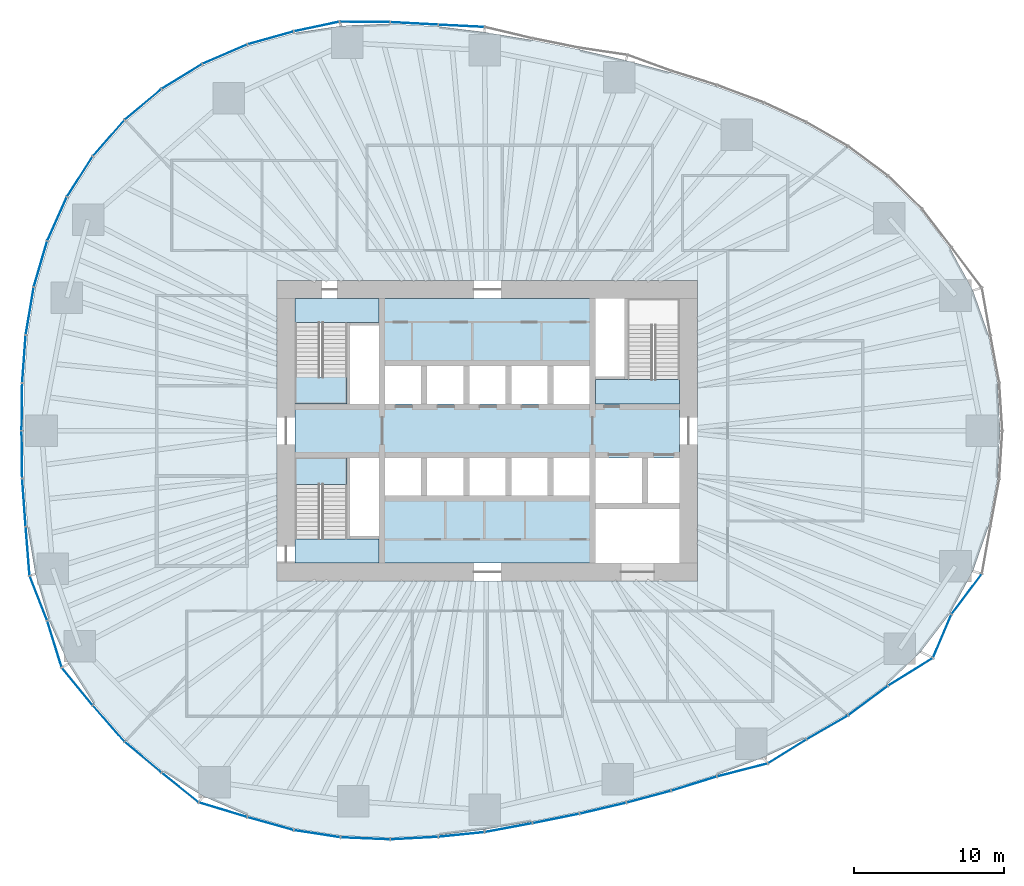
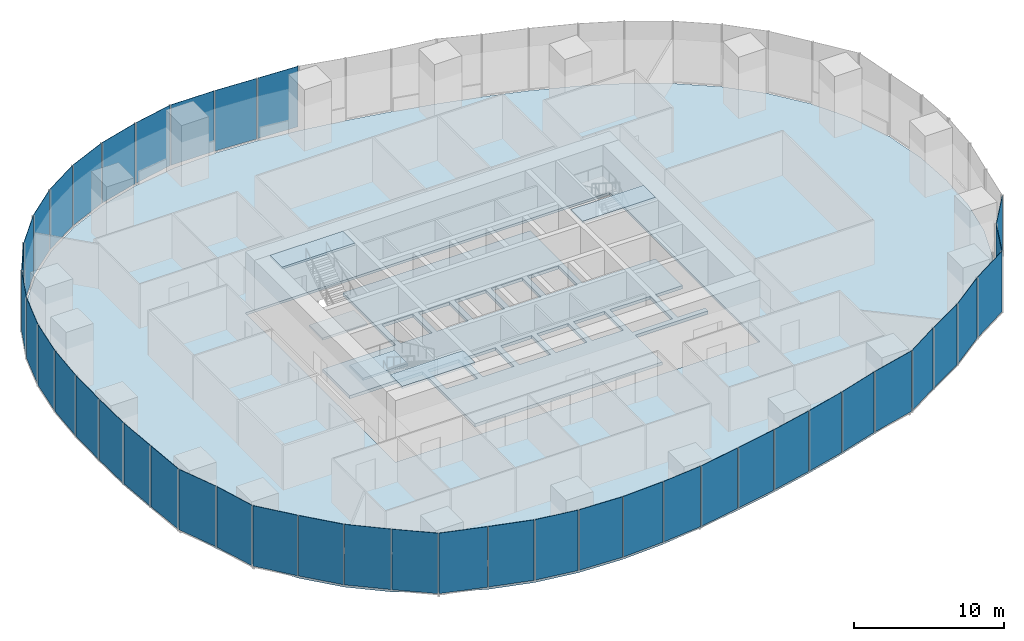
# One storey, part 8 of 20: 42 plates, 7 slabs, 17 elements without a shape of their own.
"""IFC4 building model written with IfcOpenShell, lengths in metres."""

from ifc_helpers import new_model, si_unit, direction, frame, origin, origin_2d, place, context, subcontext, project, spatial, polyline, rectangle, outline, extrude, material, layer, layer_set, type_object, element, aggregate, save


model = new_model("IFC4")

# Units and contexts
model_context = context("Model", 3, precision=1e-05, world=origin(), true_north=direction((0.0, 1.0)))
body_context = subcontext(model_context, "Body", "Model", "MODEL_VIEW")
ifc_project = project(units=[si_unit("LENGTHUNIT", "METRE"), si_unit("AREAUNIT", "SQUARE_METRE"), si_unit("VOLUMEUNIT", "CUBIC_METRE"), si_unit("PLANEANGLEUNIT", "RADIAN"), si_unit("MASSUNIT", "GRAM", prefix="KILO")], contexts=[model_context])

# Site, building, storey
site_placement = place(None, origin())
site = spatial("IfcSite", under=ifc_project, at=site_placement, CompositionType="ELEMENT")
building_placement = place(site_placement, origin())
building = spatial("IfcBuilding", under=site, at=building_placement, Name="Ghaith Harvest Tower", CompositionType="ELEMENT")
storey_placement = place(building_placement, frame((0.0, 0.0, 50.0)))
storey = spatial("IfcBuildingStorey", under=building, at=storey_placement, Name="L10", CompositionType="ELEMENT", Elevation=50.0)

# Curtain wall, plates
ifc_material_1 = material(Name="Black anodised aluminium and fritted glass", Category="aluminium")
curtain_wall_type = type_object("IfcCurtainWallType", Name="CW-F CURTAIN WALL", PredefinedType="NOTDEFINED", material=ifc_material_1)
curtain_wall_1_placement = place(storey_placement, origin())
curtain_wall_1 = element("IfcCurtainWall", 1, at=curtain_wall_1_placement, inside=storey, type_object=curtain_wall_type, Name="Curtain wall CW-F bay 06 L10", PredefinedType="NOTDEFINED")
ifc_material_2 = material(Name="Glass, high-transmission fritted double glazed unit", Category="glass")
ifc_layer_1 = layer(ifc_material_2, 0.028076171875)
ifc_layer_set_1 = layer_set([ifc_layer_1], Name="CW-F VISION PANEL")
plate_type = type_object("IfcPlateType", Name="CW-F VISION PANEL", PredefinedType="CURTAIN_PANEL", material=ifc_layer_set_1)
plate_1_placement = place(storey_placement, frame((-1.722900390625, 26.953369140625, 0.080078125), z_axis=(0.0, 0.0, 1.0), x_axis=(-0.998771443485, 0.049554048048, 0.0)))
plate_1 = element("IfcPlate", 2, at=plate_1_placement, type_object=plate_type, Name="CW-F panel 1 bay 06 L10", PredefinedType="CURTAIN_PANEL", context=body_context, shape_type="SweptSolid", body=[
    extrude(rectangle(XDim=3.001708984375, YDim=0.028076171875, at=origin_2d()), origin(), (0.0, 0.0, 1.0), 4.919921875),
])
plate_2_placement = place(storey_placement, frame((-4.863525390625, 27.11572265625, 0.080078125), z_axis=(0.0, 0.0, 1.0), x_axis=(-0.99856250263, 0.053599704667, 0.0)))
plate_2 = element("IfcPlate", 3, at=plate_2_placement, type_object=plate_type, Name="CW-F panel 2 bay 06 L10", PredefinedType="CURTAIN_PANEL", context=body_context, shape_type="SweptSolid", body=[
    extrude(rectangle(XDim=3.1279296875, YDim=0.028076171875, at=origin_2d()), origin(), (0.0, 0.0, 1.0), 4.919921875),
])
plate_3_placement = place(storey_placement, frame((-8.150390625, 27.217041015625, 0.080078125), z_axis=(0.0, 0.0, 1.0), x_axis=(-0.999959609481, 0.008987736446, 0.0)))
plate_3 = element("IfcPlate", 4, at=plate_3_placement, type_object=plate_type, Name="CW-F panel 3 bay 06 L10", PredefinedType="CURTAIN_PANEL", context=body_context, shape_type="SweptSolid", body=[
    extrude(rectangle(XDim=3.29052734375, YDim=0.028076171875, at=origin_2d()), origin(), (0.0, 0.0, 1.0), 4.919921875),
])
aggregate(curtain_wall_1, [plate_1, plate_2, plate_3])

curtain_wall_2_placement = place(storey_placement, origin())
curtain_wall_2 = element("IfcCurtainWall", 5, at=curtain_wall_2_placement, inside=storey, type_object=curtain_wall_type, Name="Curtain wall CW-F bay 07 L10", PredefinedType="NOTDEFINED")
plate_4_placement = place(storey_placement, frame((-11.358154296875, 26.908447265625, 0.080078125), z_axis=(0.0, 0.0, 1.0), x_axis=(-0.978149320779, -0.207903598476, 0.0)))
plate_4 = element("IfcPlate", 6, at=plate_4_placement, type_object=plate_type, Name="CW-F panel 1 bay 07 L10", PredefinedType="CURTAIN_PANEL", context=body_context, shape_type="SweptSolid", body=[
    extrude(rectangle(XDim=3.032958984375, YDim=0.028076171875, at=origin_2d()), origin(), (0.0, 0.0, 1.0), 4.919921875),
])
plate_5_placement = place(storey_placement, frame((-14.42578125, 26.150634765625, 0.080078125), z_axis=(0.0, 0.0, 1.0), x_axis=(-0.96272968243, -0.270465448012, 0.0)))
plate_5 = element("IfcPlate", 7, at=plate_5_placement, type_object=plate_type, Name="CW-F panel 2 bay 07 L10", PredefinedType="CURTAIN_PANEL", context=body_context, shape_type="SweptSolid", body=[
    extrude(rectangle(XDim=3.13037109375, YDim=0.028076171875, at=origin_2d()), origin(), (0.0, 0.0, 1.0), 4.919921875),
])
plate_6_placement = place(storey_placement, frame((-17.46923828125, 25.0693359375, 0.080078125), z_axis=(0.0, 0.0, 1.0), x_axis=(-0.918002845228, -0.396573796605, 0.0)))
plate_6 = element("IfcPlate", 8, at=plate_6_placement, type_object=plate_type, Name="CW-F panel 3 bay 07 L10", PredefinedType="CURTAIN_PANEL", context=body_context, shape_type="SweptSolid", body=[
    extrude(rectangle(XDim=3.18359375, YDim=0.028076171875, at=origin_2d()), origin(), (0.0, 0.0, 1.0), 4.919921875),
])
aggregate(curtain_wall_2, [plate_4, plate_5, plate_6])

curtain_wall_3_placement = place(storey_placement, origin())
curtain_wall_3 = element("IfcCurtainWall", 9, at=curtain_wall_3_placement, inside=storey, type_object=curtain_wall_type, Name="Curtain wall CW-F bay 08 L10", PredefinedType="NOTDEFINED")
plate_7_placement = place(storey_placement, frame((-20.324462890625, 23.590087890625, 0.080078125), z_axis=(0.0, 0.0, 1.0), x_axis=(-0.852527741552, -0.522681977769, 0.0)))
plate_7 = element("IfcPlate", 10, at=plate_7_placement, type_object=plate_type, Name="CW-F panel 1 bay 08 L10", PredefinedType="CURTAIN_PANEL", context=body_context, shape_type="SweptSolid", body=[
    extrude(rectangle(XDim=3.10400390625, YDim=0.028076171875, at=origin_2d()), origin(), (0.0, 0.0, 1.0), 4.919921875),
])
plate_8_placement = place(storey_placement, frame((-22.91064453125, 21.727294921875, 0.080078125), z_axis=(0.0, 0.0, 1.0), x_axis=(-0.766155215147, -0.642655573619, 0.0)))
plate_8 = element("IfcPlate", 11, at=plate_8_placement, type_object=plate_type, Name="CW-F panel 2 bay 08 L10", PredefinedType="CURTAIN_PANEL", context=body_context, shape_type="SweptSolid", body=[
    extrude(rectangle(XDim=3.1279296875, YDim=0.028076171875, at=origin_2d()), origin(), (0.0, 0.0, 1.0), 4.919921875),
])
plate_9_placement = place(storey_placement, frame((-25.201171875, 19.4853515625, 0.080078125), z_axis=(0.0, 0.0, 1.0), x_axis=(-0.659215937547, -0.751953687194, 0.0)))
plate_9 = element("IfcPlate", 12, at=plate_9_placement, type_object=plate_type, Name="CW-F panel 3 bay 08 L10", PredefinedType="CURTAIN_PANEL", context=body_context, shape_type="SweptSolid", body=[
    extrude(rectangle(XDim=3.1416015625, YDim=0.028076171875, at=origin_2d()), origin(), (0.0, 0.0, 1.0), 4.919921875),
])
aggregate(curtain_wall_3, [plate_7, plate_8, plate_9])

curtain_wall_4_placement = place(storey_placement, origin())
curtain_wall_4 = element("IfcCurtainWall", 13, at=curtain_wall_4_placement, inside=storey, type_object=curtain_wall_type, Name="Curtain wall CW-F bay 09 L10", PredefinedType="NOTDEFINED")
plate_10_placement = place(storey_placement, frame((-27.124755859375, 16.919677734375, 0.080078125), z_axis=(0.0, 0.0, 1.0), x_axis=(-0.536779195227, -0.843722759899, 0.0)))
plate_10 = element("IfcPlate", 14, at=plate_10_placement, type_object=plate_type, Name="CW-F panel 1 bay 09 L10", PredefinedType="CURTAIN_PANEL", context=body_context, shape_type="SweptSolid", body=[
    extrude(rectangle(XDim=3.13037109375, YDim=0.028076171875, at=origin_2d()), origin(), (0.0, 0.0, 1.0), 4.919921875),
])
plate_11_placement = place(storey_placement, frame((-28.639404296875, 14.100341796875, 0.080078125), z_axis=(0.0, 0.0, 1.0), x_axis=(-0.407134417018, -0.913368253488, 0.0)))
plate_11 = element("IfcPlate", 15, at=plate_11_placement, type_object=plate_type, Name="CW-F panel 2 bay 09 L10", PredefinedType="CURTAIN_PANEL", context=body_context, shape_type="SweptSolid", body=[
    extrude(rectangle(XDim=3.1279296875, YDim=0.028076171875, at=origin_2d()), origin(), (0.0, 0.0, 1.0), 4.919921875),
])
plate_12_placement = place(storey_placement, frame((-29.740478515625, 11.101318359375, 0.080078125), z_axis=(0.0, 0.0, 1.0), x_axis=(-0.280296918708, -0.959913348882, 0.0)))
plate_12 = element("IfcPlate", 16, at=plate_12_placement, type_object=plate_type, Name="CW-F panel 3 bay 09 L10", PredefinedType="CURTAIN_PANEL", context=body_context, shape_type="SweptSolid", body=[
    extrude(rectangle(XDim=3.1162109375, YDim=0.028076171875, at=origin_2d()), origin(), (0.0, 0.0, 1.0), 4.919921875),
])
aggregate(curtain_wall_4, [plate_10, plate_11, plate_12])

curtain_wall_5_placement = place(storey_placement, origin())
curtain_wall_5 = element("IfcCurtainWall", 17, at=curtain_wall_5_placement, inside=storey, type_object=curtain_wall_type, Name="Curtain wall CW-F bay 10 L10", PredefinedType="NOTDEFINED")
plate_13_placement = place(storey_placement, frame((-30.456298828125, 7.971435546875, 0.080078125), z_axis=(0.0, 0.0, 1.0), x_axis=(-0.165581316368, -0.986196140567, 0.0)))
plate_13 = element("IfcPlate", 18, at=plate_13_placement, type_object=plate_type, Name="CW-F panel 1 bay 10 L10", PredefinedType="CURTAIN_PANEL", context=body_context, shape_type="SweptSolid", body=[
    extrude(rectangle(XDim=3.156494140625, YDim=0.028076171875, at=origin_2d()), origin(), (0.0, 0.0, 1.0), 4.919921875),
])
plate_14_placement = place(storey_placement, frame((-30.84033203125, 4.77685546875, 0.080078125), z_axis=(0.0, 0.0, 1.0), x_axis=(-0.072420546123, -0.997374184797, 0.0)))
plate_14 = element("IfcPlate", 19, at=plate_14_placement, type_object=plate_type, Name="CW-F panel 2 bay 10 L10", PredefinedType="CURTAIN_PANEL", context=body_context, shape_type="SweptSolid", body=[
    extrude(rectangle(XDim=3.1259765625, YDim=0.028076171875, at=origin_2d()), origin(), (0.0, 0.0, 1.0), 4.919921875),
])
plate_15_placement = place(storey_placement, frame((-30.975830078125, 1.589111328125, 0.080078125), z_axis=(0.0, 0.0, 1.0), x_axis=(-0.012133206476, -0.999926389941, 0.0)))
plate_15 = element("IfcPlate", 20, at=plate_15_placement, type_object=plate_type, Name="CW-F panel 3 bay 10 L10", PredefinedType="CURTAIN_PANEL", context=body_context, shape_type="SweptSolid", body=[
    extrude(rectangle(XDim=3.09814453125, YDim=0.028076171875, at=origin_2d()), origin(), (0.0, 0.0, 1.0), 4.919921875),
])
aggregate(curtain_wall_5, [plate_13, plate_14, plate_15])

curtain_wall_6_placement = place(storey_placement, origin())
curtain_wall_6 = element("IfcCurtainWall", 21, at=curtain_wall_6_placement, inside=storey, type_object=curtain_wall_type, Name="Curtain wall CW-F bay 11 L10", PredefinedType="NOTDEFINED")
plate_16_placement = place(storey_placement, frame((-30.975830078125, -1.589111328125, 0.080078125), z_axis=(0.0, 0.0, 1.0), x_axis=(0.012133206773, -0.999926389937, 0.0)))
plate_16 = element("IfcPlate", 22, at=plate_16_placement, type_object=plate_type, Name="CW-F panel 1 bay 11 L10", PredefinedType="CURTAIN_PANEL", context=body_context, shape_type="SweptSolid", body=[
    extrude(rectangle(XDim=3.09814453125, YDim=0.028076171875, at=origin_2d()), origin(), (0.0, 0.0, 1.0), 4.919921875),
])
plate_17_placement = place(storey_placement, frame((-30.84033203125, -4.77685546875, 0.080078125), z_axis=(0.0, 0.0, 1.0), x_axis=(0.072420546349, -0.99737418478, 0.0)))
plate_17 = element("IfcPlate", 23, at=plate_17_placement, type_object=plate_type, Name="CW-F panel 2 bay 11 L10", PredefinedType="CURTAIN_PANEL", context=body_context, shape_type="SweptSolid", body=[
    extrude(rectangle(XDim=3.1259765625, YDim=0.028076171875, at=origin_2d()), origin(), (0.0, 0.0, 1.0), 4.919921875),
])
plate_18_placement = place(storey_placement, frame((-30.594482421875, -8.01513671875, 0.080078125), z_axis=(0.0, 0.0, 1.0), x_axis=(0.078867084181, -0.996885140341, 0.0)))
plate_18 = element("IfcPlate", 24, at=plate_18_placement, type_object=plate_type, Name="CW-F panel 3 bay 11 L10", PredefinedType="CURTAIN_PANEL", context=body_context, shape_type="SweptSolid", body=[
    extrude(rectangle(XDim=3.209716796875, YDim=0.028076171875, at=origin_2d()), origin(), (0.0, 0.0, 1.0), 4.919921875),
])
aggregate(curtain_wall_6, [plate_16, plate_17, plate_18])

curtain_wall_7_placement = place(storey_placement, origin())
curtain_wall_7 = element("IfcCurtainWall", 25, at=curtain_wall_7_placement, inside=storey, type_object=curtain_wall_type, Name="Curtain wall CW-F bay 12 L10", PredefinedType="NOTDEFINED")
plate_19_placement = place(storey_placement, frame((-29.878662109375, -11.14501953125, 0.080078125), z_axis=(0.0, 0.0, 1.0), x_axis=(0.366039738151, -0.930599220983, 0.0)))
plate_19 = element("IfcPlate", 26, at=plate_19_placement, type_object=plate_type, Name="CW-F panel 1 bay 12 L10", PredefinedType="CURTAIN_PANEL", context=body_context, shape_type="SweptSolid", body=[
    extrude(rectangle(XDim=3.122802734375, YDim=0.028076171875, at=origin_2d()), origin(), (0.0, 0.0, 1.0), 4.919921875),
])
plate_20_placement = place(storey_placement, frame((-28.809814453125, -14.195068359375, 0.080078125), z_axis=(0.0, 0.0, 1.0), x_axis=(0.295583054454, -0.95531704576, 0.0)))
plate_20 = element("IfcPlate", 27, at=plate_20_placement, type_object=plate_type, Name="CW-F panel 2 bay 12 L10", PredefinedType="CURTAIN_PANEL", context=body_context, shape_type="SweptSolid", body=[
    extrude(rectangle(XDim=3.185546875, YDim=0.028076171875, at=origin_2d()), origin(), (0.0, 0.0, 1.0), 4.919921875),
])
plate_21_placement = place(storey_placement, frame((-27.295166015625, -17.014404296875, 0.080078125), z_axis=(0.0, 0.0, 1.0), x_axis=(0.633789860881, -0.773505276158, 0.0)))
plate_21 = element("IfcPlate", 28, at=plate_21_placement, type_object=plate_type, Name="CW-F panel 3 bay 12 L10", PredefinedType="CURTAIN_PANEL", context=body_context, shape_type="SweptSolid", body=[
    extrude(rectangle(XDim=3.1767578125, YDim=0.028076171875, at=origin_2d()), origin(), (0.0, 0.0, 1.0), 4.919921875),
])
aggregate(curtain_wall_7, [plate_19, plate_20, plate_21])

curtain_wall_8_placement = place(storey_placement, origin())
curtain_wall_8 = element("IfcCurtainWall", 29, at=curtain_wall_8_placement, inside=storey, type_object=curtain_wall_type, Name="Curtain wall CW-F bay 13 L10", PredefinedType="NOTDEFINED")
plate_22_placement = place(storey_placement, frame((-25.201171875, -19.4853515625, 0.080078125), z_axis=(0.0, 0.0, 1.0), x_axis=(0.659215937337, -0.751953687378, 0.0)))
plate_22 = element("IfcPlate", 30, at=plate_22_placement, type_object=plate_type, Name="CW-F panel 1 bay 13 L10", PredefinedType="CURTAIN_PANEL", context=body_context, shape_type="SweptSolid", body=[
    extrude(rectangle(XDim=3.1416015625, YDim=0.028076171875, at=origin_2d()), origin(), (0.0, 0.0, 1.0), 4.919921875),
])
plate_23_placement = place(storey_placement, frame((-22.91064453125, -21.727294921875, 0.080078125), z_axis=(0.0, 0.0, 1.0), x_axis=(0.76615521545, -0.642655573258, 0.0)))
plate_23 = element("IfcPlate", 31, at=plate_23_placement, type_object=plate_type, Name="CW-F panel 2 bay 13 L10", PredefinedType="CURTAIN_PANEL", context=body_context, shape_type="SweptSolid", body=[
    extrude(rectangle(XDim=3.1279296875, YDim=0.028076171875, at=origin_2d()), origin(), (0.0, 0.0, 1.0), 4.919921875),
])
plate_24_placement = place(storey_placement, frame((-20.447265625, -23.748046875, 0.080078125), z_axis=(0.0, 0.0, 1.0), x_axis=(0.780122054158, -0.625627349639, 0.0)))
plate_24 = element("IfcPlate", 32, at=plate_24_placement, type_object=plate_type, Name="CW-F panel 3 bay 13 L10", PredefinedType="CURTAIN_PANEL", context=body_context, shape_type="SweptSolid", body=[
    extrude(rectangle(XDim=3.085205078125, YDim=0.028076171875, at=origin_2d()), origin(), (0.0, 0.0, 1.0), 4.919921875),
])
aggregate(curtain_wall_8, [plate_22, plate_23, plate_24])

curtain_wall_9_placement = place(storey_placement, origin())
curtain_wall_9 = element("IfcCurtainWall", 33, at=curtain_wall_9_placement, inside=storey, type_object=curtain_wall_type, Name="Curtain wall CW-F bay 14 L10", PredefinedType="NOTDEFINED")
plate_25_placement = place(storey_placement, frame((-17.591796875, -25.227294921875, 0.080078125), z_axis=(0.0, 0.0, 1.0), x_axis=(0.95734234218, -0.288956121011, 0.0)))
plate_25 = element("IfcPlate", 34, at=plate_25_placement, type_object=plate_type, Name="CW-F panel 1 bay 14 L10", PredefinedType="CURTAIN_PANEL", context=body_context, shape_type="SweptSolid", body=[
    extrude(rectangle(XDim=3.3056640625, YDim=0.028076171875, at=origin_2d()), origin(), (0.0, 0.0, 1.0), 4.919921875),
])
plate_26_placement = place(storey_placement, frame((-14.42578125, -26.150634765625, 0.080078125), z_axis=(0.0, 0.0, 1.0), x_axis=(0.962729682704, -0.270465447038, 0.0)))
plate_26 = element("IfcPlate", 35, at=plate_26_placement, type_object=plate_type, Name="CW-F panel 2 bay 14 L10", PredefinedType="CURTAIN_PANEL", context=body_context, shape_type="SweptSolid", body=[
    extrude(rectangle(XDim=3.13037109375, YDim=0.028076171875, at=origin_2d()), origin(), (0.0, 0.0, 1.0), 4.919921875),
])
plate_27_placement = place(storey_placement, frame((-11.327392578125, -26.82373046875, 0.080078125), z_axis=(0.0, 0.0, 1.0), x_axis=(0.98836987371, -0.152069039392, 0.0)))
plate_27 = element("IfcPlate", 36, at=plate_27_placement, type_object=plate_type, Name="CW-F panel 3 bay 14 L10", PredefinedType="CURTAIN_PANEL", context=body_context, shape_type="SweptSolid", body=[
    extrude(rectangle(XDim=3.0625, YDim=0.028076171875, at=origin_2d()), origin(), (0.0, 0.0, 1.0), 4.919921875),
])
aggregate(curtain_wall_9, [plate_25, plate_26, plate_27])

curtain_wall_10_placement = place(storey_placement, origin())
curtain_wall_10 = element("IfcCurtainWall", 37, at=curtain_wall_10_placement, inside=storey, type_object=curtain_wall_type, Name="Curtain wall CW-F bay 15 L10", PredefinedType="NOTDEFINED")
plate_28_placement = place(storey_placement, frame((-8.119873046875, -27.13232421875, 0.080078125), z_axis=(0.0, 0.0, 1.0), x_axis=(0.999118988518, -0.041967210794, 0.0)))
plate_28 = element("IfcPlate", 38, at=plate_28_placement, type_object=plate_type, Name="CW-F panel 1 bay 15 L10", PredefinedType="CURTAIN_PANEL", context=body_context, shape_type="SweptSolid", body=[
    extrude(rectangle(XDim=3.232177734375, YDim=0.028076171875, at=origin_2d()), origin(), (0.0, 0.0, 1.0), 4.919921875),
])
plate_29_placement = place(storey_placement, frame((-4.863525390625, -27.11572265625, 0.080078125), z_axis=(0.0, 0.0, 1.0), x_axis=(0.998562502616, 0.053599704928, 0.0)))
plate_29 = element("IfcPlate", 39, at=plate_29_placement, type_object=plate_type, Name="CW-F panel 2 bay 15 L10", PredefinedType="CURTAIN_PANEL", context=body_context, shape_type="SweptSolid", body=[
    extrude(rectangle(XDim=3.1279296875, YDim=0.028076171875, at=origin_2d()), origin(), (0.0, 0.0, 1.0), 4.919921875),
])
plate_30_placement = place(storey_placement, frame((-1.722412109375, -26.87353515625, 0.080078125), z_axis=(0.0, 0.0, 1.0), x_axis=(0.99488222177, 0.101041401443, 0.0)))
plate_30 = element("IfcPlate", 40, at=plate_30_placement, type_object=plate_type, Name="CW-F panel 3 bay 15 L10", PredefinedType="CURTAIN_PANEL", context=body_context, shape_type="SweptSolid", body=[
    extrude(rectangle(XDim=3.014892578125, YDim=0.028076171875, at=origin_2d()), origin(), (0.0, 0.0, 1.0), 4.919921875),
])
aggregate(curtain_wall_10, [plate_28, plate_29, plate_30])

curtain_wall_11_placement = place(storey_placement, origin())
curtain_wall_11 = element("IfcCurtainWall", 41, at=curtain_wall_11_placement, inside=storey, type_object=curtain_wall_type, Name="Curtain wall CW-F bay 16 L10", PredefinedType="NOTDEFINED")
plate_31_placement = place(storey_placement, frame((1.4130859375, -26.420166015625, 0.080078125), z_axis=(0.0, 0.0, 1.0), x_axis=(0.983131230266, 0.182901569365, 0.0)))
plate_31 = element("IfcPlate", 42, at=plate_31_placement, type_object=plate_type, Name="CW-F panel 1 bay 16 L10", PredefinedType="CURTAIN_PANEL", context=body_context, shape_type="SweptSolid", body=[
    extrude(rectangle(XDim=3.166748046875, YDim=0.028076171875, at=origin_2d()), origin(), (0.0, 0.0, 1.0), 4.919921875),
])
plate_32_placement = place(storey_placement, frame((4.5732421875, -25.809326171875, 0.080078125), z_axis=(0.0, 0.0, 1.0), x_axis=(0.98043234808, 0.196856320293, 0.0)))
plate_32 = element("IfcPlate", 43, at=plate_32_placement, type_object=plate_type, Name="CW-F panel 2 bay 16 L10", PredefinedType="CURTAIN_PANEL", context=body_context, shape_type="SweptSolid", body=[
    extrude(rectangle(XDim=3.1103515625, YDim=0.028076171875, at=origin_2d()), origin(), (0.0, 0.0, 1.0), 4.919921875),
])
plate_33_placement = place(storey_placement, frame((7.697265625, -25.129150390625, 0.080078125), z_axis=(0.0, 0.0, 1.0), x_axis=(0.973564757908, 0.228411169079, 0.0)))
plate_33 = element("IfcPlate", 44, at=plate_33_placement, type_object=plate_type, Name="CW-F panel 3 bay 16 L10", PredefinedType="CURTAIN_PANEL", context=body_context, shape_type="SweptSolid", body=[
    extrude(rectangle(XDim=3.125, YDim=0.028076171875, at=origin_2d()), origin(), (0.0, 0.0, 1.0), 4.919921875),
])
aggregate(curtain_wall_11, [plate_31, plate_32, plate_33])

curtain_wall_12_placement = place(storey_placement, origin())
curtain_wall_12 = element("IfcCurtainWall", 45, at=curtain_wall_12_placement, inside=storey, type_object=curtain_wall_type, Name="Curtain wall CW-F bay 17 L10", PredefinedType="NOTDEFINED")
plate_34_placement = place(storey_placement, frame((10.745849609375, -24.36376953125, 0.080078125), z_axis=(0.0, 0.0, 1.0), x_axis=(0.965848435029, 0.259107700681, 0.0)))
plate_34 = element("IfcPlate", 46, at=plate_34_placement, type_object=plate_type, Name="CW-F panel 1 bay 17 L10", PredefinedType="CURTAIN_PANEL", context=body_context, shape_type="SweptSolid", body=[
    extrude(rectangle(XDim=3.002197265625, YDim=0.028076171875, at=origin_2d()), origin(), (0.0, 0.0, 1.0), 4.919921875),
])
plate_35_placement = place(storey_placement, frame((13.760986328125, -23.490234375, 0.080078125), z_axis=(0.0, 0.0, 1.0), x_axis=(0.954988265447, 0.296643578827, 0.0)))
plate_35 = element("IfcPlate", 47, at=plate_35_placement, type_object=plate_type, Name="CW-F panel 2 bay 17 L10", PredefinedType="CURTAIN_PANEL", context=body_context, shape_type="SweptSolid", body=[
    extrude(rectangle(XDim=3.1171875, YDim=0.028076171875, at=origin_2d()), origin(), (0.0, 0.0, 1.0), 4.919921875),
])
plate_36_placement = place(storey_placement, frame((16.980712890625, -22.580322265625, 0.080078125), z_axis=(0.0, 0.0, 1.0), x_axis=(0.968451429434, 0.249202385275, 0.0)))
plate_36 = element("IfcPlate", 48, at=plate_36_placement, type_object=plate_type, Name="CW-F panel 3 bay 17 L10", PredefinedType="CURTAIN_PANEL", context=body_context, shape_type="SweptSolid", body=[
    extrude(rectangle(XDim=3.416748046875, YDim=0.028076171875, at=origin_2d()), origin(), (0.0, 0.0, 1.0), 4.919921875),
])
aggregate(curtain_wall_12, [plate_34, plate_35, plate_36])

curtain_wall_13_placement = place(storey_placement, origin())
curtain_wall_13 = element("IfcCurtainWall", 49, at=curtain_wall_13_placement, inside=storey, type_object=curtain_wall_type, Name="Curtain wall CW-F bay 18 L10", PredefinedType="NOTDEFINED")
plate_37_placement = place(storey_placement, frame((19.954833984375, -21.348876953125, 0.080078125), z_axis=(0.0, 0.0, 1.0), x_axis=(0.849360700005, 0.527812846837, 0.0)))
plate_37 = element("IfcPlate", 50, at=plate_37_placement, type_object=plate_type, Name="CW-F panel 1 bay 18 L10", PredefinedType="CURTAIN_PANEL", context=body_context, shape_type="SweptSolid", body=[
    extrude(rectangle(XDim=2.935791015625, YDim=0.028076171875, at=origin_2d()), origin(), (0.0, 0.0, 1.0), 4.919921875),
])
plate_38_placement = place(storey_placement, frame((22.626953125, -19.750244140625, 0.080078125), z_axis=(0.0, 0.0, 1.0), x_axis=(0.866159208454, 0.499768171866, 0.0)))
plate_38 = element("IfcPlate", 51, at=plate_38_placement, type_object=plate_type, Name="CW-F panel 2 bay 18 L10", PredefinedType="CURTAIN_PANEL", context=body_context, shape_type="SweptSolid", body=[
    extrude(rectangle(XDim=3.1328125, YDim=0.028076171875, at=origin_2d()), origin(), (0.0, 0.0, 1.0), 4.919921875),
])
plate_39_placement = place(storey_placement, frame((25.34619140625, -17.96142578125, 0.080078125), z_axis=(0.0, 0.0, 1.0), x_axis=(0.802866788713, 0.596158468515, 0.0)))
plate_39 = element("IfcPlate", 52, at=plate_39_placement, type_object=plate_type, Name="CW-F panel 3 bay 18 L10", PredefinedType="CURTAIN_PANEL", context=body_context, shape_type="SweptSolid", body=[
    extrude(rectangle(XDim=3.2275390625, YDim=0.028076171875, at=origin_2d()), origin(), (0.0, 0.0, 1.0), 4.919921875),
])
aggregate(curtain_wall_13, [plate_37, plate_38, plate_39])

curtain_wall_14_placement = place(storey_placement, origin())
curtain_wall_14 = element("IfcCurtainWall", 53, at=curtain_wall_14_placement, inside=storey, type_object=curtain_wall_type, Name="Curtain wall CW-F bay 19 L10", PredefinedType="NOTDEFINED")
plate_40_placement = place(storey_placement, frame((28.166748046875, -16.05126953125, 0.080078125), z_axis=(0.0, 0.0, 1.0), x_axis=(0.850245604669, 0.526386181184, 0.0)))
plate_40 = element("IfcPlate", 54, at=plate_40_placement, type_object=plate_type, Name="CW-F panel 1 bay 19 L10", PredefinedType="CURTAIN_PANEL", context=body_context, shape_type="SweptSolid", body=[
    extrude(rectangle(XDim=3.431884765625, YDim=0.028076171875, at=origin_2d()), origin(), (0.0, 0.0, 1.0), 4.919921875),
])
plate_41_placement = place(storey_placement, frame((30.2783203125, -13.6708984375, 0.080078125), z_axis=(0.0, 0.0, 1.0), x_axis=(0.390980294296, 0.920399049039, 0.0)))
plate_41 = element("IfcPlate", 55, at=plate_41_placement, type_object=plate_type, Name="CW-F panel 2 bay 19 L10", PredefinedType="CURTAIN_PANEL", context=body_context, shape_type="SweptSolid", body=[
    extrude(rectangle(XDim=3.083740234375, YDim=0.028076171875, at=origin_2d()), origin(), (0.0, 0.0, 1.0), 4.919921875),
])
plate_42_placement = place(storey_placement, frame((31.91015625, -10.865234375, 0.080078125), z_axis=(0.0, 0.0, 1.0), x_axis=(0.600454091429, 0.799659229976, 0.0)))
plate_42 = element("IfcPlate", 56, at=plate_42_placement, type_object=plate_type, Name="CW-F panel 3 bay 19 L10", PredefinedType="CURTAIN_PANEL", context=body_context, shape_type="SweptSolid", body=[
    extrude(rectangle(XDim=3.295654296875, YDim=0.028076171875, at=origin_2d()), origin(), (0.0, 0.0, 1.0), 4.919921875),
])
aggregate(curtain_wall_14, [plate_40, plate_41, plate_42])

# Slabs
ifc_material_3 = material(Name="Concrete C40/50", Category="concrete")
ifc_layer_2 = layer(ifc_material_3, 0.199951171875)
ifc_layer_set_2 = layer_set([ifc_layer_2], Name="FLOOR SLAB 200")
slab_type_1 = type_object("IfcSlabType", Name="FLOOR SLAB 200", PredefinedType="FLOOR", material=ifc_layer_set_2)
slab_1_placement = place(storey_placement, frame((0.0, 0.0, -0.199951171875)))
element("IfcSlab", 57, at=slab_1_placement, inside=storey, type_object=slab_type_1, Name="Floor slab L10", PredefinedType="FLOOR", context=body_context, shape_type="SweptSolid", body=[
    extrude(outline(polyline([(34.125, 0.0), (33.95849609375, 3.194091796875), (33.37158203125, 6.333984375), (32.318359375, 9.3408203125), (30.78515625, 12.1708984375), (28.840087890625, 14.708984375), (26.572509765625, 16.9111328125), (23.92431640625, 18.873046875), (21.149169921875, 20.469482421875), (18.34521484375, 21.7548828125), (15.22119140625, 22.916259765625), (12.1796875, 23.857666015625), (9.21533203125, 24.65087890625), (6.10888671875, 25.378662109375), (2.99560546875, 26.004150390625), (-0.181396484375, 26.527099609375), (-3.24755859375, 26.91064453125), (-6.4375, 27.0849609375), (-9.733642578125, 26.949951171875), (-12.828125, 26.476806640625), (-15.907958984375, 25.614501953125), (-18.8935546875, 24.32763671875), (-21.59912109375, 22.671142578125), (-24.04833984375, 20.618408203125), (-26.16455078125, 18.20556640625), (-27.881591796875, 15.507080078125), (-29.182373046875, 12.587890625), (-30.073974609375, 9.531005859375), (-30.606689453125, 6.35107421875), (-30.837158203125, 3.165771484375), (-30.875, 0.0), (-30.837158203125, -3.165771484375), (-30.606689453125, -6.35107421875), (-30.073974609375, -9.531005859375), (-29.182373046875, -12.587890625), (-27.881591796875, -15.507080078125), (-26.16455078125, -18.20556640625), (-24.04833984375, -20.618408203125), (-21.59912109375, -22.671142578125), (-18.8935546875, -24.32763671875), (-15.907958984375, -25.614501953125), (-12.828125, -26.476806640625), (-9.733642578125, -26.949951171875), (-6.4375, -27.0849609375), (-3.24755859375, -26.91064453125), (-0.181396484375, -26.527099609375), (2.99560546875, -26.004150390625), (6.10888671875, -25.378662109375), (9.21533203125, -24.65087890625), (12.1796875, -23.857666015625), (15.22119140625, -22.916259765625), (18.34521484375, -21.7548828125), (21.149169921875, -20.469482421875), (23.92431640625, -18.873046875), (26.572509765625, -16.9111328125), (28.840087890625, -14.708984375), (30.78515625, -12.1708984375), (32.318359375, -9.3408203125), (33.37158203125, -6.333984375), (33.95849609375, -3.194091796875), (34.125, 0.0)]), holes=[polyline([(-14.0, -10.0), (14.0, -10.0), (14.0, 10.0), (-14.0, 10.0), (-14.0, -10.0)])]), origin(), (0.0, 0.0, 1.0), 0.199951171875),
])
ifc_material_4 = material(Name="Concrete C40/50", Category="concrete")
ifc_layer_3 = layer(ifc_material_4, 0.25)
ifc_layer_set_3 = layer_set([ifc_layer_3], Name="FLOOR SLAB 250")
slab_type_2 = type_object("IfcSlabType", Name="FLOOR SLAB 250", PredefinedType="FLOOR", material=ifc_layer_set_3)
slab_2_placement = place(storey_placement, frame((0.0, 0.0, -0.25)))
element("IfcSlab", 58, at=slab_2_placement, inside=storey, type_object=slab_type_2, Name="Core slab L10", PredefinedType="FLOOR", context=body_context, shape_type="SweptSolid", body=[
    extrude(outline(polyline([(-12.800048828125, 1.800048828125), (-7.199951171875, 1.800048828125), (-7.199951171875, 8.800048828125), (7.199951171875, 8.800048828125), (7.199951171875, 1.800048828125), (12.800048828125, 1.800048828125), (12.800048828125, -1.800048828125), (10.699951171875, -1.800048828125), (10.699951171875, -4.800048828125), (12.800048828125, -4.800048828125), (12.800048828125, -5.199951171875), (7.199951171875, -5.199951171875), (7.199951171875, -8.800048828125), (-7.199951171875, -8.800048828125), (-7.199951171875, -1.800048828125), (-12.800048828125, -1.800048828125), (-12.800048828125, 1.800048828125)]), holes=[polyline([(-4.39990234375, -4.300048828125), (-4.39990234375, -1.800048828125), (-6.800048828125, -1.800048828125), (-6.800048828125, -4.300048828125), (-4.39990234375, -4.300048828125)]), polyline([(-1.60009765625, -4.300048828125), (-1.60009765625, -1.800048828125), (-4.0, -1.800048828125), (-4.0, -4.300048828125), (-1.60009765625, -4.300048828125)]), polyline([(1.199951171875, -4.300048828125), (1.199951171875, -1.800048828125), (-1.199951171875, -1.800048828125), (-1.199951171875, -4.300048828125), (1.199951171875, -4.300048828125)]), polyline([(-4.39990234375, 1.800048828125), (-4.39990234375, 4.300048828125), (-6.800048828125, 4.300048828125), (-6.800048828125, 1.800048828125), (-4.39990234375, 1.800048828125)]), polyline([(-1.60009765625, 1.800048828125), (-1.60009765625, 4.300048828125), (-4.0, 4.300048828125), (-4.0, 1.800048828125), (-1.60009765625, 1.800048828125)]), polyline([(1.199951171875, 1.800048828125), (1.199951171875, 4.300048828125), (-1.199951171875, 4.300048828125), (-1.199951171875, 1.800048828125), (1.199951171875, 1.800048828125)]), polyline([(10.300048828125, -4.800048828125), (10.300048828125, -1.800048828125), (7.199951171875, -1.800048828125), (7.199951171875, -4.800048828125), (10.300048828125, -4.800048828125)]), polyline([(4.0, -4.300048828125), (4.0, -1.800048828125), (1.60009765625, -1.800048828125), (1.60009765625, -4.300048828125), (4.0, -4.300048828125)]), polyline([(6.800048828125, -4.300048828125), (6.800048828125, -1.800048828125), (4.39990234375, -1.800048828125), (4.39990234375, -4.300048828125), (6.800048828125, -4.300048828125)]), polyline([(4.0, 1.800048828125), (4.0, 4.300048828125), (1.60009765625, 4.300048828125), (1.60009765625, 1.800048828125), (4.0, 1.800048828125)]), polyline([(6.800048828125, 1.800048828125), (6.800048828125, 4.300048828125), (4.39990234375, 4.300048828125), (4.39990234375, 1.800048828125), (6.800048828125, 1.800048828125)])]), origin(), (0.0, 0.0, 1.0), 0.25),
])

# Stair, slabs
ifc_material_5 = material(Name="Concrete C40/50, precast", Category="concrete")
stair_type = type_object("IfcStairType", Name="CORE STAIR 28R", PredefinedType="HALF_TURN_STAIR", material=ifc_material_5)
stair_1_placement = place(storey_placement, origin())
stair_1 = element("IfcStair", 59, at=stair_1_placement, inside=storey, type_object=stair_type, Name="Stair ST1 L10", PredefinedType="HALF_TURN_STAIR")
ifc_material_6 = material(Name="Concrete C40/50, precast", Category="concrete")
ifc_layer_4 = layer(ifc_material_6, 0.179931640625)
ifc_layer_set_4 = layer_set([ifc_layer_4], Name="STAIR LANDING 180")
slab_type_3 = type_object("IfcSlabType", Name="STAIR LANDING 180", PredefinedType="LANDING", material=ifc_layer_set_4)
slab_3_placement = place(storey_placement, frame((0.0, 0.0, 2.320068359375)))
slab_3 = element("IfcSlab", 60, at=slab_3_placement, type_object=slab_type_3, Name="ST1 landing 1", PredefinedType="LANDING", context=body_context, shape_type="SweptSolid", body=[
    extrude(outline(polyline([(-12.800048828125, 3.580078125), (-12.800048828125, 1.800048828125), (-9.35009765625, 1.800048828125), (-9.35009765625, 3.580078125), (-12.800048828125, 3.580078125)])), origin(), (0.0, 0.0, 1.0), 0.179931640625),
])
slab_4_placement = place(storey_placement, frame((0.0, 0.0, 4.820068359375)))
slab_4 = element("IfcSlab", 61, at=slab_4_placement, type_object=slab_type_3, Name="ST1 landing 2", PredefinedType="LANDING", context=body_context, shape_type="SweptSolid", body=[
    extrude(outline(polyline([(-12.800048828125, 8.800048828125), (-12.800048828125, 7.199951171875), (-7.199951171875, 7.199951171875), (-7.199951171875, 8.800048828125), (-12.800048828125, 8.800048828125)])), origin(), (0.0, 0.0, 1.0), 0.179931640625),
])
aggregate(stair_1, [slab_3, slab_4])

stair_2_placement = place(storey_placement, origin())
stair_2 = element("IfcStair", 62, at=stair_2_placement, inside=storey, type_object=stair_type, Name="Stair ST3 L10", PredefinedType="HALF_TURN_STAIR")
slab_5_placement = place(storey_placement, frame((0.0, 0.0, 2.320068359375)))
slab_5 = element("IfcSlab", 63, at=slab_5_placement, type_object=slab_type_3, Name="ST3 landing 1", PredefinedType="LANDING", context=body_context, shape_type="SweptSolid", body=[
    extrude(outline(polyline([(-12.800048828125, -3.580078125), (-12.800048828125, -1.800048828125), (-9.35009765625, -1.800048828125), (-9.35009765625, -3.580078125), (-12.800048828125, -3.580078125)])), origin(), (0.0, 0.0, 1.0), 0.179931640625),
])
slab_6_placement = place(storey_placement, frame((0.0, 0.0, 4.820068359375)))
slab_6 = element("IfcSlab", 64, at=slab_6_placement, type_object=slab_type_3, Name="ST3 landing 2", PredefinedType="LANDING", context=body_context, shape_type="SweptSolid", body=[
    extrude(outline(polyline([(-12.800048828125, -8.800048828125), (-12.800048828125, -7.199951171875), (-7.199951171875, -7.199951171875), (-7.199951171875, -8.800048828125), (-12.800048828125, -8.800048828125)])), origin(), (0.0, 0.0, 1.0), 0.179931640625),
])
aggregate(stair_2, [slab_5, slab_6])

# Stair, slab
stair_3_placement = place(storey_placement, origin())
stair_3 = element("IfcStair", 65, at=stair_3_placement, inside=storey, type_object=stair_type, Name="Stair ST2 L10", PredefinedType="HALF_TURN_STAIR")
slab_7_placement = place(storey_placement, frame((0.0, 0.0, 4.820068359375)))
slab_7 = element("IfcSlab", 66, at=slab_7_placement, type_object=slab_type_3, Name="ST2 landing 2", PredefinedType="LANDING", context=body_context, shape_type="SweptSolid", body=[
    extrude(outline(polyline([(12.800048828125, 1.800048828125), (12.800048828125, 3.39990234375), (7.199951171875, 3.39990234375), (7.199951171875, 1.800048828125), (12.800048828125, 1.800048828125)])), origin(), (0.0, 0.0, 1.0), 0.179931640625),
])
aggregate(stair_3, [slab_7])

save(model, "model.ifc")
